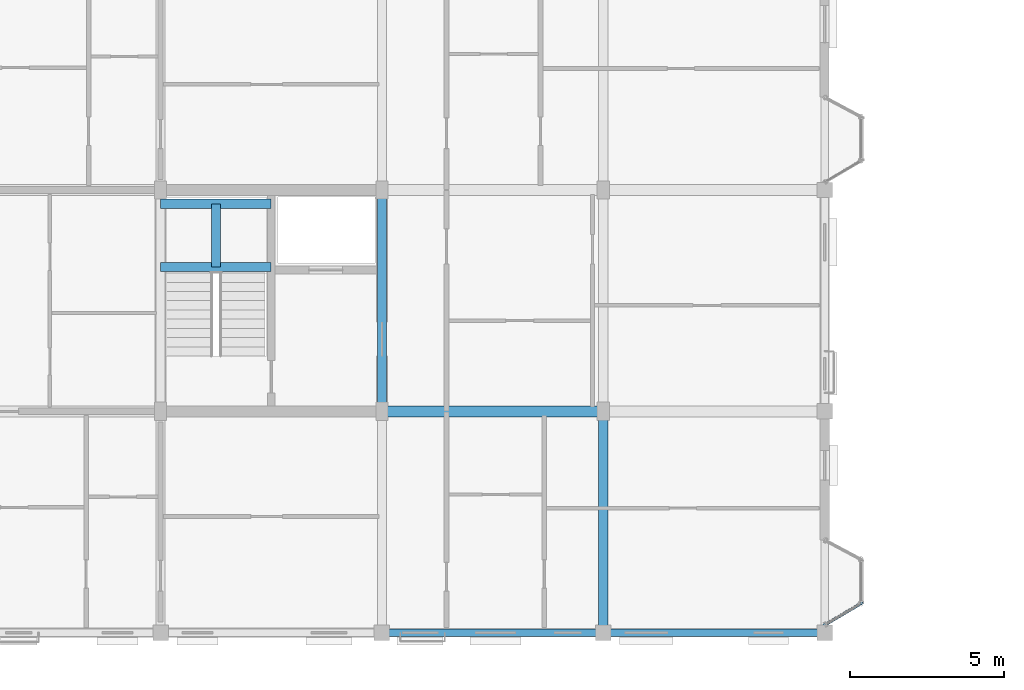
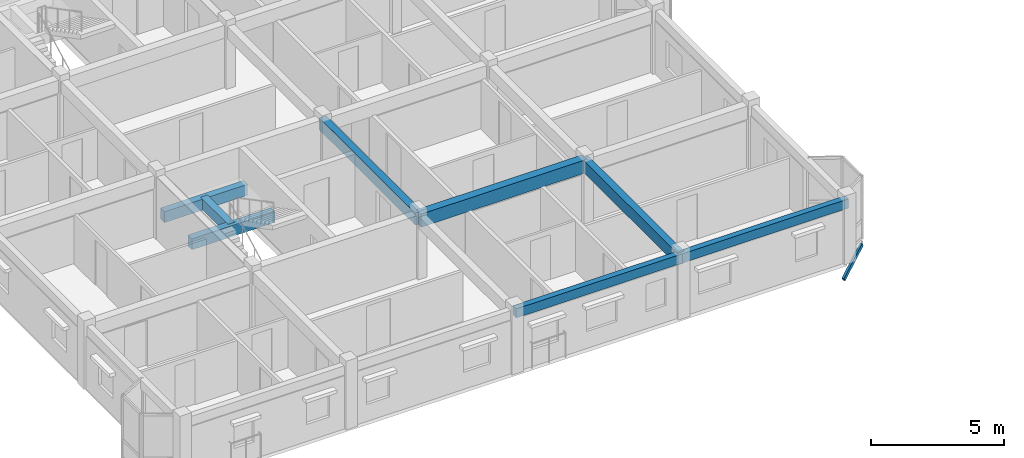
# One storey, part 6 of 64: 8 beams, 1 member.
"""IFC4 building model written with IfcOpenShell, lengths in metres."""

from ifc_helpers import new_model, si_unit, direction, frame, origin, origin_2d, place, context, subcontext, project, spatial, rectangle, hollow_rectangle, extrude, material, material_profile, profile_set, type_object, element, save


model = new_model("IFC4")

# Units and contexts
model_context = context("Model", 3, precision=1e-05, world=origin(), true_north=direction((0.0, 1.0)))
body_context = subcontext(model_context, "Body", "Model", "MODEL_VIEW")
ifc_project = project(units=[si_unit("LENGTHUNIT", "METRE"), si_unit("AREAUNIT", "SQUARE_METRE"), si_unit("VOLUMEUNIT", "CUBIC_METRE"), si_unit("PLANEANGLEUNIT", "RADIAN"), si_unit("MASSUNIT", "GRAM", prefix="KILO"), si_unit("THERMODYNAMICTEMPERATUREUNIT", "KELVIN"), si_unit("POWERUNIT", "WATT")], contexts=[model_context])

# Site, building, storey
site_placement = place(None, origin())
site = spatial("IfcSite", under=ifc_project, at=site_placement, CompositionType="ELEMENT")
building_placement = place(site_placement, origin())
building = spatial("IfcBuilding", under=site, at=building_placement, Name="Tavuni Mirador Residences", CompositionType="ELEMENT")
storey_placement = place(building_placement, frame((0.0, 0.0, 26.550048828125)))
storey = spatial("IfcBuildingStorey", under=building, at=storey_placement, Name="L08", CompositionType="ELEMENT", Elevation=26.550048828125)

# Beams
ifc_material_1 = material(Name="Precast concrete C40/50", Category="concrete")
ifc_material_profile_1 = material_profile(ifc_material_1, rectangle(XDim=0.300048828125, YDim=0.5, at=origin_2d()), Name="PC 300x500", Category="concrete")
ifc_profile_set_1 = profile_set([ifc_material_profile_1], Name="Precast concrete C40/50")
beam_type_1 = type_object("IfcBeamType", Name="BT-B500", PredefinedType="BEAM", material=ifc_profile_set_1)
for number, where, z_axis, x_axis, name in (
    (1, (10.800048828125, 19.10009765625, 1.14501953125), (1.0, 0.0, 0.0), (0.0, 1.0, 0.0), "HLB1-C1-L08"),
    (2, (10.800048828125, 21.14990234375, 1.14501953125), (1.0, 0.0, 0.0), (0.0, 1.0, 0.0), "HLB2-C1-L08"),
):
    element("IfcBeam", number, at=place(storey_placement, frame(where, z_axis=z_axis, x_axis=x_axis)), inside=storey, type_object=beam_type_1, Name=name, PredefinedType="BEAM", context=body_context, shape_type="SweptSolid", body=[
        extrude(rectangle(XDim=0.300048828125, YDim=0.5, at=origin_2d()), origin(), (0.0, 0.0, 1.0), 3.599853515625),
    ])
beam_1_placement = place(storey_placement, frame((12.60009765625, 19.10009765625, 1.14501953125), z_axis=(0.0, 1.0, 0.0), x_axis=(-1.0, 0.0, 0.0)))
element("IfcBeam", 3, at=beam_1_placement, inside=storey, type_object=beam_type_1, Name="HLB3-C1-L08", PredefinedType="BEAM", context=body_context, shape_type="SweptSolid", body=[
    extrude(rectangle(XDim=0.300048828125, YDim=0.5, at=origin_2d()), origin(), (0.0, 0.0, 1.0), 2.0498046875),
])
ifc_material_profile_2 = material_profile(ifc_material_1, rectangle(XDim=0.300048828125, YDim=0.550048828125, at=origin_2d()), Name="PC 300x550", Category="concrete")
ifc_profile_set_2 = profile_set([ifc_material_profile_2], Name="Precast concrete C40/50")
beam_type_2 = type_object("IfcBeamType", Name="BT-B550", PredefinedType="BEAM", material=ifc_profile_set_2)
beam_2_placement = place(storey_placement, frame((18.0, 14.39990234375, 2.594970703125), z_axis=(0.0, 1.0, 0.0), x_axis=(-1.0, 0.0, 0.0)))
element("IfcBeam", 4, at=beam_2_placement, inside=storey, type_object=beam_type_2, Name="BMY-BLK-A-L08-02-01", PredefinedType="BEAM", context=body_context, shape_type="SweptSolid", body=[
    extrude(rectangle(XDim=0.300048828125, YDim=0.550048828125, at=origin_2d()), origin(), (0.0, 0.0, 1.0), 7.2001953125),
])
beam_3_placement = place(storey_placement, frame((25.199951171875, 7.199951171875, 2.594970703125), z_axis=(0.0, 1.0, 0.0), x_axis=(-1.0, 0.0, 0.0)))
element("IfcBeam", 5, at=beam_3_placement, inside=storey, type_object=beam_type_2, Name="BMY-BLK-A-L08-03-00", PredefinedType="BEAM", context=body_context, shape_type="SweptSolid", body=[
    extrude(rectangle(XDim=0.300048828125, YDim=0.550048828125, at=origin_2d()), origin(), (0.0, 0.0, 1.0), 7.199951171875),
])
ifc_material_profile_3 = material_profile(ifc_material_1, rectangle(XDim=0.35009765625, YDim=0.60009765625, at=origin_2d()), Name="PC 350x600", Category="concrete")
ifc_profile_set_3 = profile_set([ifc_material_profile_3], Name="Precast concrete C40/50")
beam_type_3 = type_object("IfcBeamType", Name="BT-B600", PredefinedType="BEAM", material=ifc_profile_set_3)
beam_4_placement = place(storey_placement, frame((18.0, 14.39990234375, 2.570068359375), z_axis=(1.0, 0.0, 0.0), x_axis=(0.0, 1.0, 0.0)))
element("IfcBeam", 6, at=beam_4_placement, inside=storey, type_object=beam_type_3, Name="BMX-BLK-A-L08-02-01", PredefinedType="BEAM", context=body_context, shape_type="SweptSolid", body=[
    extrude(rectangle(XDim=0.35009765625, YDim=0.60009765625, at=origin_2d()), origin(), (0.0, 0.0, 1.0), 7.199951171875),
])
ifc_material_profile_4 = material_profile(ifc_material_1, rectangle(XDim=0.25, YDim=0.419921875, at=origin_2d()), Name="PC 250x420", Category="concrete")
ifc_profile_set_4 = profile_set([ifc_material_profile_4], Name="Precast concrete C40/50")
beam_type_4 = type_object("IfcBeamType", Name="BT-SP420", PredefinedType="SPANDREL", material=ifc_profile_set_4)
for number, where, z_axis, x_axis, name in (
    (7, (18.0, 7.199951171875, 2.659912109375), (1.0, 0.0, 0.0), (0.0, 1.0, 0.0), "BMX-BLK-A-L08-02-00"),
    (8, (25.199951171875, 7.199951171875, 2.659912109375), (1.0, 0.0, 0.0), (0.0, 1.0, 0.0), "BMX-BLK-A-L08-03-00"),
):
    element("IfcBeam", number, at=place(storey_placement, frame(where, z_axis=z_axis, x_axis=x_axis)), inside=storey, type_object=beam_type_4, Name=name, PredefinedType="SPANDREL", context=body_context, shape_type="SweptSolid", body=[
        extrude(rectangle(XDim=0.25, YDim=0.419921875, at=origin_2d()), origin(), (0.0, 0.0, 1.0), 7.199951171875),
    ])

# Member
ifc_material_2 = material(Name="Structural steel S355", Category="steel")
ifc_material_profile_5 = material_profile(ifc_material_2, hollow_rectangle(XDim=0.10009765625, YDim=0.179931640625, WallThickness=0.008056640625, at=origin_2d()), Name="RHS 180x100x8.0", Category="steel")
ifc_profile_set_5 = profile_set([ifc_material_profile_5], Name="Structural steel S355")
member_type = type_object("IfcMemberType", Name="MT-BR-RHS180", PredefinedType="BRACE", material=ifc_profile_set_5)
member_placement = place(storey_placement, frame((32.39990234375, 7.449951171875, -1.050048828125), z_axis=(0.753448798133, 0.445693471312, 0.48339656414), x_axis=(-0.50913035723, 0.860689420957, 0.0)))
element("IfcMember", 9, at=member_placement, inside=storey, type_object=member_type, Name="MBRK-MIR-A-E1-L08-1", PredefinedType="BRACE", context=body_context, shape_type="SweptSolid", body=[
    extrude(hollow_rectangle(XDim=0.10009765625, YDim=0.179931640625, WallThickness=0.008056640625, at=origin_2d()), origin(), (0.0, 0.0, 1.0), 1.593017578125),
])

save(model, "model.ifc")
